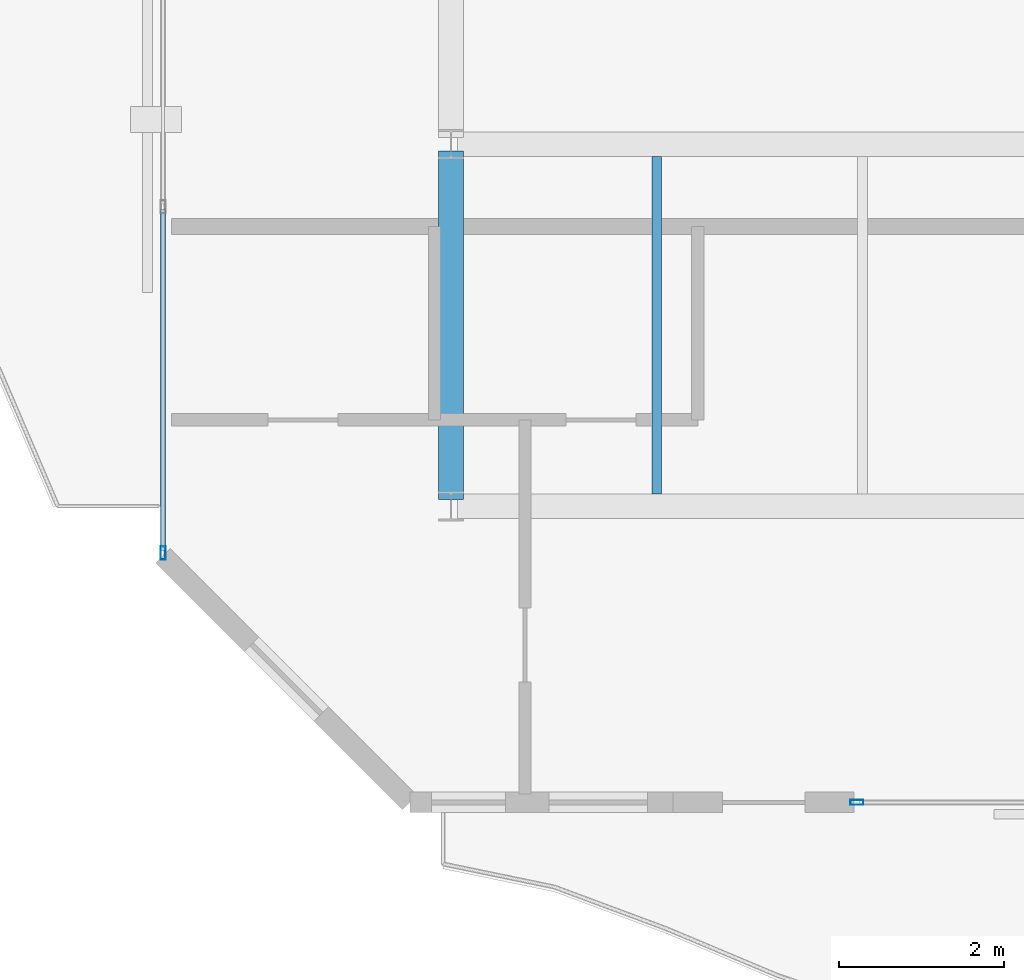
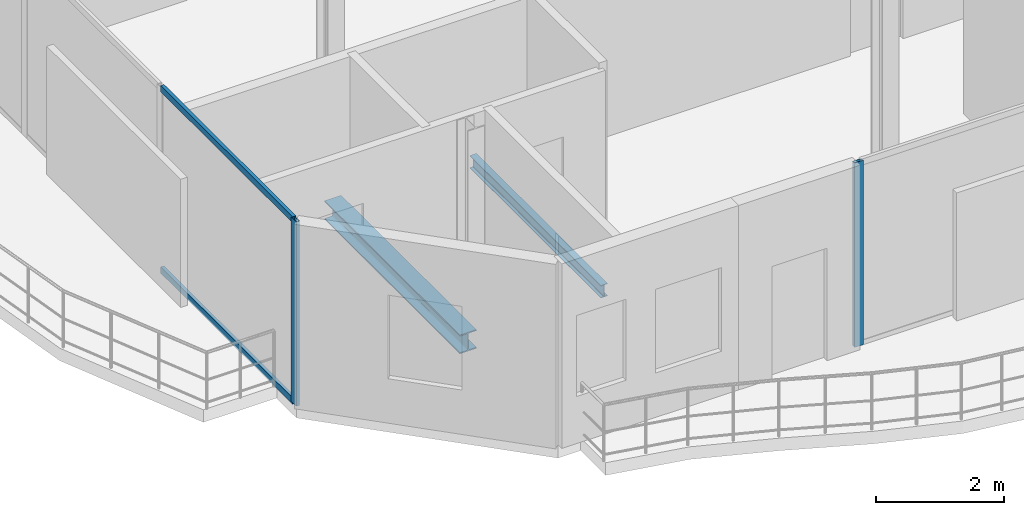
# One storey, part 3 of 22: 4 members, 2 beams, 2 elements without a shape of their own.
"""IFC4 building model written with IfcOpenShell, lengths in metres."""

from ifc_helpers import new_model, si_unit, direction, frame, origin, origin_2d, place, context, subcontext, project, spatial, hollow_rectangle, i_section, extrude, material, layer, layer_set, material_profile, profile_set, type_object, element, aggregate, save


model = new_model("IFC4")

# Units and contexts
model_context = context("Model", 3, precision=1e-05, world=origin(), true_north=direction((0.0, 1.0)))
body_context = subcontext(model_context, "Body", "Model", "MODEL_VIEW")
ifc_project = project(units=[si_unit("LENGTHUNIT", "METRE"), si_unit("AREAUNIT", "SQUARE_METRE"), si_unit("VOLUMEUNIT", "CUBIC_METRE"), si_unit("PLANEANGLEUNIT", "RADIAN"), si_unit("MASSUNIT", "GRAM", prefix="KILO")], contexts=[model_context])

# Site, building, storey
site_placement = place(None, origin())
site = spatial("IfcSite", under=ifc_project, at=site_placement, CompositionType="ELEMENT")
building_placement = place(site_placement, origin())
building = spatial("IfcBuilding", under=site, at=building_placement, Name="Catumbela Crestline Tower", CompositionType="ELEMENT")
storey_placement = place(building_placement, frame((0.0, 0.0, 256.4)))
storey = spatial("IfcBuildingStorey", under=building, at=storey_placement, Name="L66", CompositionType="ELEMENT", Elevation=256.4)

# Beams
ifc_material_1 = material(Name="Structural steel S355J2", Category="steel")
ifc_material_profile_1 = material_profile(ifc_material_1, i_section(OverallWidth=0.3, OverallDepth=0.36, WebThickness=0.0125, FlangeThickness=0.0225, FilletRadius=0.027, at=origin_2d()), Name="HEB 360")
ifc_profile_set_1 = profile_set([ifc_material_profile_1], Name="Structural steel S355J2")
beam_type_1 = type_object("IfcBeamType", Name="BG-HEB360", PredefinedType="BEAM", material=ifc_profile_set_1)
beam_1_placement = place(storey_placement, frame((8.5, 13.68, -0.44), z_axis=(0.0, 1.0, 0.0), x_axis=(-1.0, 0.0, 0.0)))
element("IfcBeam", 1, at=beam_1_placement, inside=storey, type_object=beam_type_1, Name="L66 Beam BM-L66-WNS30", PredefinedType="BEAM", context=body_context, shape_type="SweptSolid", body=[
    extrude(i_section(OverallWidth=0.3, OverallDepth=0.36, WebThickness=0.0125, FlangeThickness=0.0225, FilletRadius=0.027, at=origin_2d()), origin(), (0.0, 0.0, 1.0), 4.24),
])
ifc_material_profile_2 = material_profile(ifc_material_1, i_section(OverallWidth=0.12, OverallDepth=0.24, WebThickness=0.0062, FlangeThickness=0.0098, FilletRadius=0.015, at=origin_2d()), Name="IPE 240")
ifc_profile_set_2 = profile_set([ifc_material_profile_2], Name="Structural steel S355J2")
beam_type_2 = type_object("IfcBeamType", Name="BJ-IPE240", PredefinedType="JOIST", material=ifc_profile_set_2)
beam_2_placement = place(storey_placement, frame((11.0, 13.747, -0.38), z_axis=(0.0, 1.0, 0.0), x_axis=(-1.0, 0.0, 0.0)))
element("IfcBeam", 2, at=beam_2_placement, inside=storey, type_object=beam_type_2, Name="L66 Joist JS-L66-WG34", PredefinedType="JOIST", context=body_context, shape_type="SweptSolid", body=[
    extrude(i_section(OverallWidth=0.12, OverallDepth=0.24, WebThickness=0.0062, FlangeThickness=0.0098, FilletRadius=0.015, at=origin_2d()), origin(), (0.0, 0.0, 1.0), 4.106),
])

# Curtain wall, member
ifc_material_2 = material(Name="Aluminium alloy AW-6060-T66", Category="aluminium")
ifc_layer = layer(ifc_material_2, 0.18, Name="Aluminium alloy AW-6060-T66")
ifc_layer_set = layer_set([ifc_layer], Name="Aluminium alloy AW-6060-T66")
curtain_wall_type = type_object("IfcCurtainWallType", Name="CWU-Z4", PredefinedType="USERDEFINED", material=ifc_layer_set)
curtain_wall_1_placement = place(storey_placement, origin())
curtain_wall_1 = element("IfcCurtainWall", 3, at=curtain_wall_1_placement, inside=storey, type_object=curtain_wall_type, Name="L66 Unitised Curtain Wall CW-L66-E0S2", ObjectType="UNITISED", PredefinedType="USERDEFINED")
ifc_material_profile_3 = material_profile(ifc_material_2, hollow_rectangle(XDim=0.06, YDim=0.16, WallThickness=0.004, at=origin_2d()), Name="ALU 160x60x4")
ifc_profile_set_3 = profile_set([ifc_material_profile_3], Name="Aluminium alloy AW-6060-T66")
member_type_1 = type_object("IfcMemberType", Name="MUL-160X60", PredefinedType="MULLION", material=ifc_profile_set_3)
member_1_placement = place(storey_placement, frame((13.4325, 10.0, 0.0), z_axis=(0.0, 0.0, 1.0), x_axis=(0.0, 1.0, 0.0)))
member_1 = element("IfcMember", 4, at=member_1_placement, type_object=member_type_1, Name="CWU-Z4 mullion 1", PredefinedType="MULLION", context=body_context, shape_type="SweptSolid", body=[
    extrude(hollow_rectangle(XDim=0.06, YDim=0.16, WallThickness=0.004, at=origin_2d()), origin(), (0.0, 0.0, 1.0), 3.53),
])
aggregate(curtain_wall_1, [member_1])

# Curtain wall, members
curtain_wall_2_placement = place(storey_placement, origin())
curtain_wall_2 = element("IfcCurtainWall", 5, at=curtain_wall_2_placement, inside=storey, type_object=curtain_wall_type, Name="L66 Unitised Curtain Wall CW-L66-E9S2", ObjectType="UNITISED", PredefinedType="USERDEFINED")
member_2_placement = place(storey_placement, frame((5.0, 13.0325, 0.0), z_axis=(0.0, 0.0, 1.0), x_axis=(1.0, 0.0, 0.0)))
member_2 = element("IfcMember", 6, at=member_2_placement, type_object=member_type_1, Name="CWU-Z4 mullion 6", PredefinedType="MULLION", context=body_context, shape_type="SweptSolid", body=[
    extrude(hollow_rectangle(XDim=0.06, YDim=0.16, WallThickness=0.004, at=origin_2d()), origin(), (0.0, 0.0, 1.0), 3.53),
])
ifc_material_profile_4 = material_profile(ifc_material_2, hollow_rectangle(XDim=0.06, YDim=0.12, WallThickness=0.0035, at=origin_2d()), Name="ALU 120x60x3.5")
ifc_profile_set_4 = profile_set([ifc_material_profile_4], Name="Aluminium alloy AW-6060-T66")
member_type_2 = type_object("IfcMemberType", Name="TRN-120X60", PredefinedType="USERDEFINED", material=ifc_profile_set_4)
member_3_placement = place(storey_placement, frame((5.0, 17.2075, 0.03), z_axis=(0.0, -1.0, 0.0), x_axis=(1.0, 0.0, 0.0)))
member_3 = element("IfcMember", 7, at=member_3_placement, type_object=member_type_2, Name="CWU-Z4 transom 5.1", ObjectType="TRANSOM", PredefinedType="USERDEFINED", context=body_context, shape_type="SweptSolid", body=[
    extrude(hollow_rectangle(XDim=0.06, YDim=0.12, WallThickness=0.0035, at=origin_2d()), origin(), (0.0, 0.0, 1.0), 4.1425),
])
member_4_placement = place(storey_placement, frame((5.0, 17.2075, 3.5), z_axis=(0.0, -1.0, 0.0), x_axis=(1.0, 0.0, 0.0)))
member_4 = element("IfcMember", 8, at=member_4_placement, type_object=member_type_2, Name="CWU-Z4 transom 5.2", ObjectType="TRANSOM", PredefinedType="USERDEFINED", context=body_context, shape_type="SweptSolid", body=[
    extrude(hollow_rectangle(XDim=0.06, YDim=0.12, WallThickness=0.0035, at=origin_2d()), origin(), (0.0, 0.0, 1.0), 4.1425),
])
aggregate(curtain_wall_2, [member_2, member_3, member_4])

save(model, "model.ifc")
